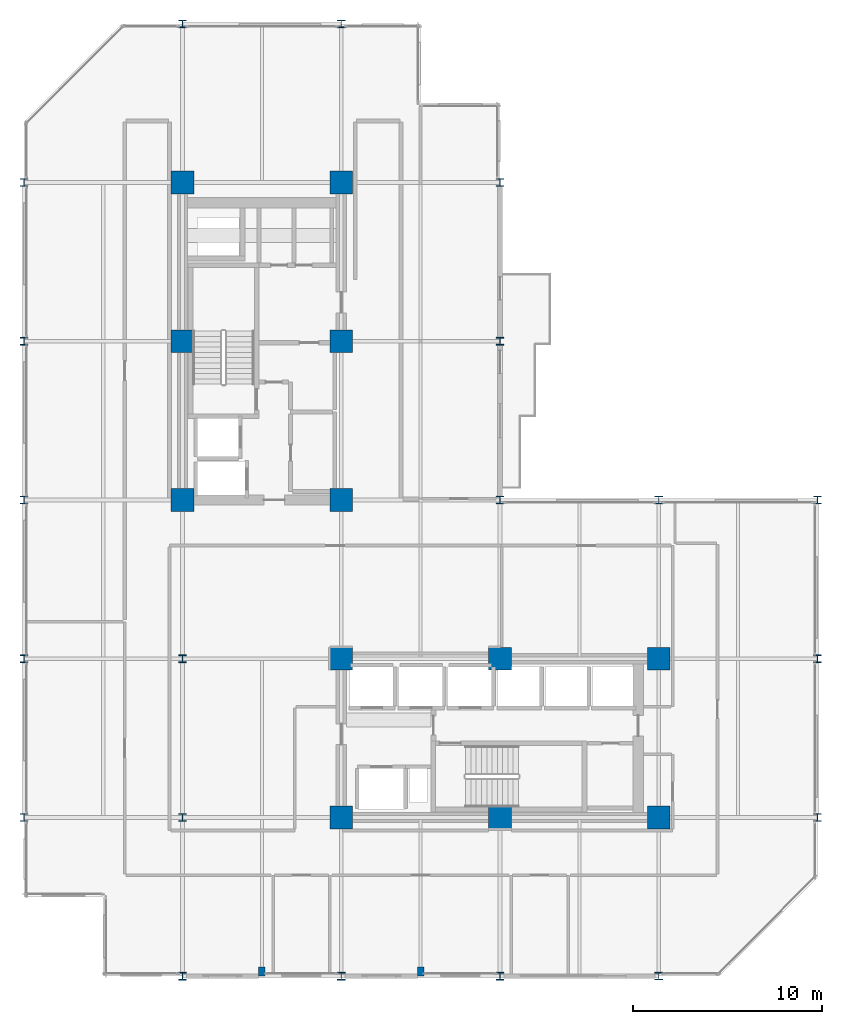
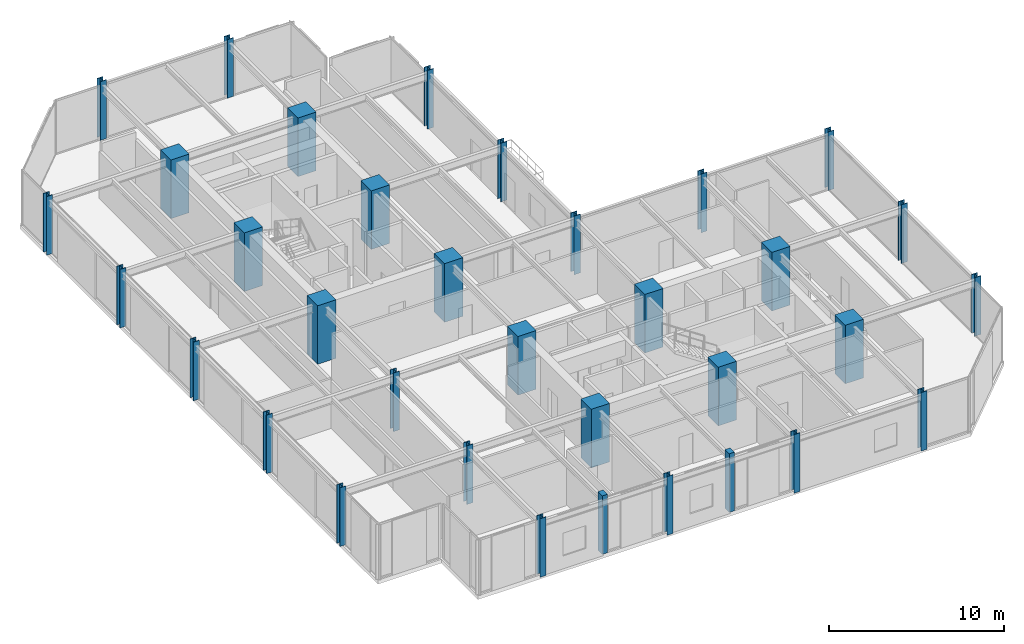
# One storey, part 1 of 29: 34 columns.
"""IFC4 building model written with IfcOpenShell, lengths in metres."""

from ifc_helpers import new_model, si_unit, direction, frame, origin, origin_2d, place, context, subcontext, project, spatial, rectangle, i_section, extrude, material, material_profile, profile_set, type_object, element, save


model = new_model("IFC4")

# Units and contexts
model_context = context("Model", 3, precision=1e-05, world=origin(), true_north=direction((0.0, 1.0)))
body_context = subcontext(model_context, "Body", "Model", "MODEL_VIEW")
ifc_project = project(units=[si_unit("LENGTHUNIT", "METRE"), si_unit("AREAUNIT", "SQUARE_METRE"), si_unit("VOLUMEUNIT", "CUBIC_METRE"), si_unit("PLANEANGLEUNIT", "RADIAN"), si_unit("MASSUNIT", "GRAM", prefix="KILO")], contexts=[model_context])

# Site, building, storey
site_placement = place(None, origin())
site = spatial("IfcSite", under=ifc_project, at=site_placement, CompositionType="ELEMENT")
building_placement = place(site_placement, origin())
building = spatial("IfcBuilding", under=site, at=building_placement, Name="Nerrivon Quay Data Exchange", CompositionType="ELEMENT")
storey_placement = place(building_placement, frame((0.0, 0.0, 125.39990234375)))
storey = spatial("IfcBuildingStorey", under=building, at=storey_placement, Name="L29", CompositionType="ELEMENT", Elevation=125.39990234375)

# Columns
ifc_material_1 = material(Name="Concrete S65 (65 MPa)", Category="concrete")
ifc_material_profile_1 = material_profile(ifc_material_1, rectangle(XDim=1.199951171875, YDim=1.199951171875, at=origin_2d()), Name="RC-COL-1200x1200")
ifc_profile_set_1 = profile_set([ifc_material_profile_1], Name="Concrete S65 (65 MPa)")
column_type_1 = type_object("IfcColumnType", Name="COL-C3-1200", PredefinedType="COLUMN", material=ifc_profile_set_1)
for number, where, z_axis, x_axis, name in (
    (1, (8.39990234375, 25.199951171875, 0.0), (0.0, 0.0, 1.0), (1.0, 0.0, 0.0), "L29 Column (8.4,25.2)"),
    (2, (8.39990234375, 33.60009765625, 0.0), (0.0, 0.0, 1.0), (1.0, 0.0, 0.0), "L29 Column (8.4,33.6)"),
    (3, (8.39990234375, 42.0, 0.0), (0.0, 0.0, 1.0), (1.0, 0.0, 0.0), "L29 Column (8.4,42.0)"),
    (4, (16.800048828125, 8.39990234375, 0.0), (0.0, 0.0, 1.0), (1.0, 0.0, 0.0), "L29 Column (16.8,8.4)"),
    (5, (16.800048828125, 16.800048828125, 0.0), (0.0, 0.0, 1.0), (1.0, 0.0, 0.0), "L29 Column (16.8,16.8)"),
    (6, (16.800048828125, 25.199951171875, 0.0), (0.0, 0.0, 1.0), (1.0, 0.0, 0.0), "L29 Column (16.8,25.2)"),
    (7, (16.800048828125, 33.60009765625, 0.0), (0.0, 0.0, 1.0), (1.0, 0.0, 0.0), "L29 Column (16.8,33.6)"),
    (8, (16.800048828125, 42.0, 0.0), (0.0, 0.0, 1.0), (1.0, 0.0, 0.0), "L29 Column (16.8,42.0)"),
    (9, (25.199951171875, 8.39990234375, 0.0), (0.0, 0.0, 1.0), (1.0, 0.0, 0.0), "L29 Column (25.2,8.4)"),
    (10, (25.199951171875, 16.800048828125, 0.0), (0.0, 0.0, 1.0), (1.0, 0.0, 0.0), "L29 Column (25.2,16.8)"),
    (11, (33.60009765625, 8.39990234375, 0.0), (0.0, 0.0, 1.0), (1.0, 0.0, 0.0), "L29 Column (33.6,8.4)"),
    (12, (33.60009765625, 16.800048828125, 0.0), (0.0, 0.0, 1.0), (1.0, 0.0, 0.0), "L29 Column (33.6,16.8)"),
):
    element("IfcColumn", number, at=place(storey_placement, frame(where, z_axis=z_axis, x_axis=x_axis)), inside=storey, type_object=column_type_1, Name=name, PredefinedType="COLUMN", context=body_context, shape_type="SweptSolid", body=[
        extrude(rectangle(XDim=1.199951171875, YDim=1.199951171875, at=origin_2d()), origin(), (0.0, 0.0, 1.0), 4.10009765625),
    ])
ifc_material_2 = material(Name="Steel Grade 350", Category="steel")
ifc_material_profile_2 = material_profile(ifc_material_2, i_section(OverallWidth=0.39990234375, OverallDepth=0.39990234375, WebThickness=0.02490234375, FlangeThickness=0.0400390625, at=origin_2d()), Name="400WC328")
ifc_profile_set_2 = profile_set([ifc_material_profile_2], Name="Steel Grade 350")
column_type_2 = type_object("IfcColumnType", Name="COL-SC2-400WC", PredefinedType="COLUMN", material=ifc_profile_set_2)
for number, where, z_axis, x_axis, name in (
    (13, (0.0, 8.39990234375, 0.0), (0.0, 0.0, 1.0), (1.0, 0.0, 0.0), "L29 Column (0.0,8.4)"),
    (14, (0.0, 16.800048828125, 0.0), (0.0, 0.0, 1.0), (1.0, 0.0, 0.0), "L29 Column (0.0,16.8)"),
    (15, (0.0, 25.199951171875, 0.0), (0.0, 0.0, 1.0), (1.0, 0.0, 0.0), "L29 Column (0.0,25.2)"),
    (16, (0.0, 33.60009765625, 0.0), (0.0, 0.0, 1.0), (1.0, 0.0, 0.0), "L29 Column (0.0,33.6)"),
    (17, (0.0, 42.0, 0.0), (0.0, 0.0, 1.0), (1.0, 0.0, 0.0), "L29 Column (0.0,42.0)"),
    (18, (8.39990234375, 0.0, 0.0), (0.0, 0.0, 1.0), (1.0, 0.0, 0.0), "L29 Column (8.4,0.0)"),
    (19, (8.39990234375, 8.39990234375, 0.0), (0.0, 0.0, 1.0), (1.0, 0.0, 0.0), "L29 Column (8.4,8.4)"),
    (20, (8.39990234375, 16.800048828125, 0.0), (0.0, 0.0, 1.0), (1.0, 0.0, 0.0), "L29 Column (8.4,16.8)"),
    (21, (8.39990234375, 50.39990234375, 0.0), (0.0, 0.0, 1.0), (1.0, 0.0, 0.0), "L29 Column (8.4,50.4)"),
    (22, (16.800048828125, 0.0, 0.0), (0.0, 0.0, 1.0), (1.0, 0.0, 0.0), "L29 Column (16.8,0.0)"),
    (23, (16.800048828125, 50.39990234375, 0.0), (0.0, 0.0, 1.0), (1.0, 0.0, 0.0), "L29 Column (16.8,50.4)"),
    (24, (25.199951171875, 0.0, 0.0), (0.0, 0.0, 1.0), (1.0, 0.0, 0.0), "L29 Column (25.2,0.0)"),
    (25, (25.199951171875, 25.199951171875, 0.0), (0.0, 0.0, 1.0), (1.0, 0.0, 0.0), "L29 Column (25.2,25.2)"),
    (26, (25.199951171875, 33.60009765625, 0.0), (0.0, 0.0, 1.0), (1.0, 0.0, 0.0), "L29 Column (25.2,33.6)"),
    (27, (25.199951171875, 42.0, 0.0), (0.0, 0.0, 1.0), (1.0, 0.0, 0.0), "L29 Column (25.2,42.0)"),
    (28, (33.60009765625, 0.0, 0.0), (0.0, 0.0, 1.0), (1.0, 0.0, 0.0), "L29 Column (33.6,0.0)"),
    (29, (33.60009765625, 25.199951171875, 0.0), (0.0, 0.0, 1.0), (1.0, 0.0, 0.0), "L29 Column (33.6,25.2)"),
    (30, (42.0, 8.39990234375, 0.0), (0.0, 0.0, 1.0), (1.0, 0.0, 0.0), "L29 Column (42.0,8.4)"),
    (31, (42.0, 16.800048828125, 0.0), (0.0, 0.0, 1.0), (1.0, 0.0, 0.0), "L29 Column (42.0,16.8)"),
    (32, (42.0, 25.199951171875, 0.0), (0.0, 0.0, 1.0), (1.0, 0.0, 0.0), "L29 Column (42.0,25.2)"),
):
    element("IfcColumn", number, at=place(storey_placement, frame(where, z_axis=z_axis, x_axis=x_axis)), inside=storey, type_object=column_type_2, Name=name, PredefinedType="COLUMN", context=body_context, shape_type="SweptSolid", body=[
        extrude(i_section(OverallWidth=0.39990234375, OverallDepth=0.39990234375, WebThickness=0.02490234375, FlangeThickness=0.0400390625, at=origin_2d()), origin(), (0.0, 0.0, 1.0), 4.10009765625),
    ])
ifc_material_3 = material(Name="Concrete N50 (50 MPa)", Category="concrete")
ifc_material_profile_3 = material_profile(ifc_material_3, rectangle(XDim=0.35009765625, YDim=0.5, at=origin_2d()), Name="RC-PIL-500x350")
ifc_profile_set_3 = profile_set([ifc_material_profile_3], Name="Concrete N50 (50 MPa)")
column_type_3 = type_object("IfcColumnType", Name="PIL-P2-500x350", PredefinedType="PILASTER", material=ifc_profile_set_3)
for number, where, z_axis, x_axis, name in (
    (33, (12.60009765625, 0.25, 0.0), (0.0, 0.0, 1.0), (1.0, 0.0, 0.0), "L29 Facade Pilaster (12.6)"),
    (34, (21.0, 0.25, 0.0), (0.0, 0.0, 1.0), (1.0, 0.0, 0.0), "L29 Facade Pilaster (21.0)"),
):
    element("IfcColumn", number, at=place(storey_placement, frame(where, z_axis=z_axis, x_axis=x_axis)), inside=storey, type_object=column_type_3, Name=name, PredefinedType="PILASTER", context=body_context, shape_type="SweptSolid", body=[
        extrude(rectangle(XDim=0.35009765625, YDim=0.5, at=origin_2d()), origin(), (0.0, 0.0, 1.0), 4.10009765625),
    ])

save(model, "model.ifc")
